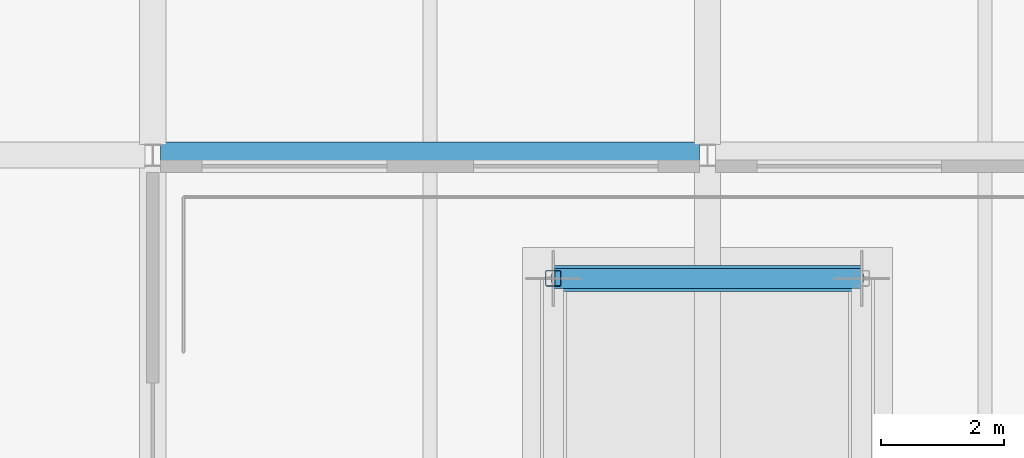
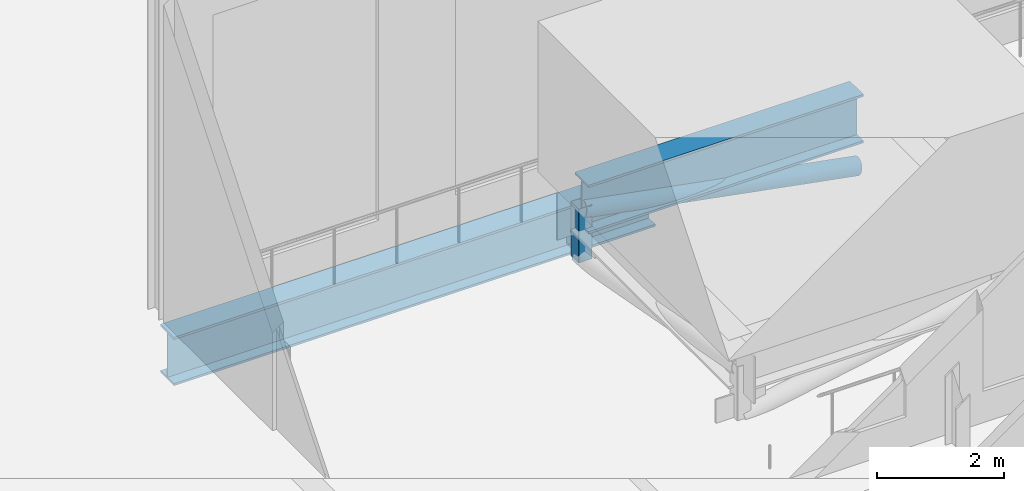
# One storey, part 8 of 26: 3 members, 1 beam.
"""IFC4 building model written with IfcOpenShell, lengths in metres."""

from ifc_helpers import new_model, si_unit, direction, frame, origin, origin_2d, place, context, subcontext, project, spatial, hollow_rectangle, hollow_circle, i_section, extrude, material, material_profile, profile_set, type_object, element, save


model = new_model("IFC4")

# Units and contexts
model_context = context("Model", 3, precision=1e-05, world=origin(), true_north=direction((0.0, 1.0)))
body_context = subcontext(model_context, "Body", "Model", "MODEL_VIEW")
ifc_project = project(units=[si_unit("LENGTHUNIT", "METRE"), si_unit("AREAUNIT", "SQUARE_METRE"), si_unit("VOLUMEUNIT", "CUBIC_METRE"), si_unit("PLANEANGLEUNIT", "RADIAN"), si_unit("MASSUNIT", "GRAM", prefix="KILO")], contexts=[model_context])

# Site, building, storey
site_placement = place(None, origin())
site = spatial("IfcSite", under=ifc_project, at=site_placement, CompositionType="ELEMENT")
building_placement = place(site_placement, origin())
building = spatial("IfcBuilding", under=site, at=building_placement, Name="Zellij Exchange Tower", CompositionType="ELEMENT")
storey_placement = place(building_placement, frame((0.0, 0.0, 296.5)))
storey = spatial("IfcBuildingStorey", under=building, at=storey_placement, Name="L70", CompositionType="ELEMENT", Elevation=296.5)

# Members
ifc_material_1 = material(Name="Structural steel ASTM A913 Gr 65", Category="steel")
ifc_material_profile_1 = material_profile(ifc_material_1, i_section(OverallWidth=0.424072265625, OverallDepth=0.93212890625, WebThickness=0.02392578125, FlangeThickness=0.042724609375, at=origin_2d()), Name="W36x300")
ifc_profile_set_1 = profile_set([ifc_material_profile_1], Name="Structural steel ASTM A913 Gr 65")
member_type_1 = type_object("IfcMemberType", Name="STR-DAMPER FRAME CHORD W36x300", PredefinedType="CHORD", material=ifc_profile_set_1)
member_1_placement = place(storey_placement, frame((2.5, 12.0, 1.033935546875), z_axis=(-1.0, 0.0, 0.0), x_axis=(0.0, -1.0, 0.0)))
element("IfcMember", 1, at=member_1_placement, inside=storey, type_object=member_type_1, Name="TM1", PredefinedType="CHORD", context=body_context, shape_type="SweptSolid", body=[
    extrude(i_section(OverallWidth=0.424072265625, OverallDepth=0.93212890625, WebThickness=0.02392578125, FlangeThickness=0.042724609375, at=origin_2d()), origin(), (0.0, 0.0, 1.0), 5.0),
])
ifc_material_2 = material(Name="Structural steel ASTM A500 Gr C", Category="steel")
ifc_material_profile_2 = material_profile(ifc_material_2, hollow_circle(Radius=0.161865234375, WallThickness=0.01171875, at=origin_2d()), Name="STR-DAMPER FRAME DIAGONAL HSS12.750x0.500")
ifc_profile_set_2 = profile_set([ifc_material_profile_2], Name="Structural steel ASTM A500 Gr C")
member_type_2 = type_object("IfcMemberType", Name="STR-DAMPER FRAME DIAGONAL HSS12.750x0.500", PredefinedType="BRACE", material=ifc_profile_set_2)
member_2_placement = place(storey_placement, frame((2.5, 12.0, 0.0), z_axis=(-0.983002350945, 0.0, 0.183592968377), x_axis=(0.0, -1.0, 0.0)))
element("IfcMember", 2, at=member_2_placement, inside=storey, type_object=member_type_2, Name="TM2", PredefinedType="BRACE", context=body_context, shape_type="SweptSolid", body=[
    extrude(hollow_circle(Radius=0.161865234375, WallThickness=0.01171875, at=origin_2d()), origin(), (0.0, 0.0, 1.0), 5.08642578125),
])
ifc_material_profile_3 = material_profile(ifc_material_2, hollow_rectangle(XDim=0.25390625, YDim=0.25390625, WallThickness=0.0087890625, InnerFilletRadius=0.0087890625, OuterFilletRadius=0.017822265625, at=origin_2d()), Name="STR-DAMPER FRAME POST HSS10x10x3/8")
ifc_profile_set_3 = profile_set([ifc_material_profile_3], Name="Structural steel ASTM A500 Gr C")
member_type_3 = type_object("IfcMemberType", Name="STR-DAMPER FRAME POST HSS10x10x3/8", PredefinedType="POST", material=ifc_profile_set_3)
member_3_placement = place(storey_placement, frame((-2.5, 12.0, 0.0), z_axis=(0.0, 0.0, 1.0), x_axis=(1.0, 0.0, 0.0)))
element("IfcMember", 3, at=member_3_placement, inside=storey, type_object=member_type_3, Name="TM3", PredefinedType="POST", context=body_context, shape_type="SweptSolid", body=[
    extrude(hollow_rectangle(XDim=0.25390625, YDim=0.25390625, WallThickness=0.0087890625, InnerFilletRadius=0.0087890625, OuterFilletRadius=0.017822265625, at=origin_2d()), origin(), (0.0, 0.0, 1.0), 1.033935546875),
])

# Beam
ifc_material_profile_4 = material_profile(ifc_material_1, i_section(OverallWidth=0.424072265625, OverallDepth=0.93212890625, WebThickness=0.02392578125, FlangeThickness=0.042724609375, at=origin_2d()), Name="W36x300")
ifc_profile_set_4 = profile_set([ifc_material_profile_4], Name="Structural steel ASTM A913 Gr 65")
beam_type = type_object("IfcBeamType", Name="STR-GIRDER W36x300", PredefinedType="BEAM", material=ifc_profile_set_4)
beam_placement = place(storey_placement, frame((-8.873046875, 14.0, -0.8662109375), z_axis=(1.0, 0.0, 0.0), x_axis=(0.0, 1.0, 0.0)))
element("IfcBeam", 4, at=beam_placement, inside=storey, type_object=beam_type, Name="G5", PredefinedType="BEAM", context=body_context, shape_type="SweptSolid", body=[
    extrude(i_section(OverallWidth=0.424072265625, OverallDepth=0.93212890625, WebThickness=0.02392578125, FlangeThickness=0.042724609375, at=origin_2d()), origin(), (0.0, 0.0, 1.0), 8.74609375),
])

save(model, "model.ifc")
